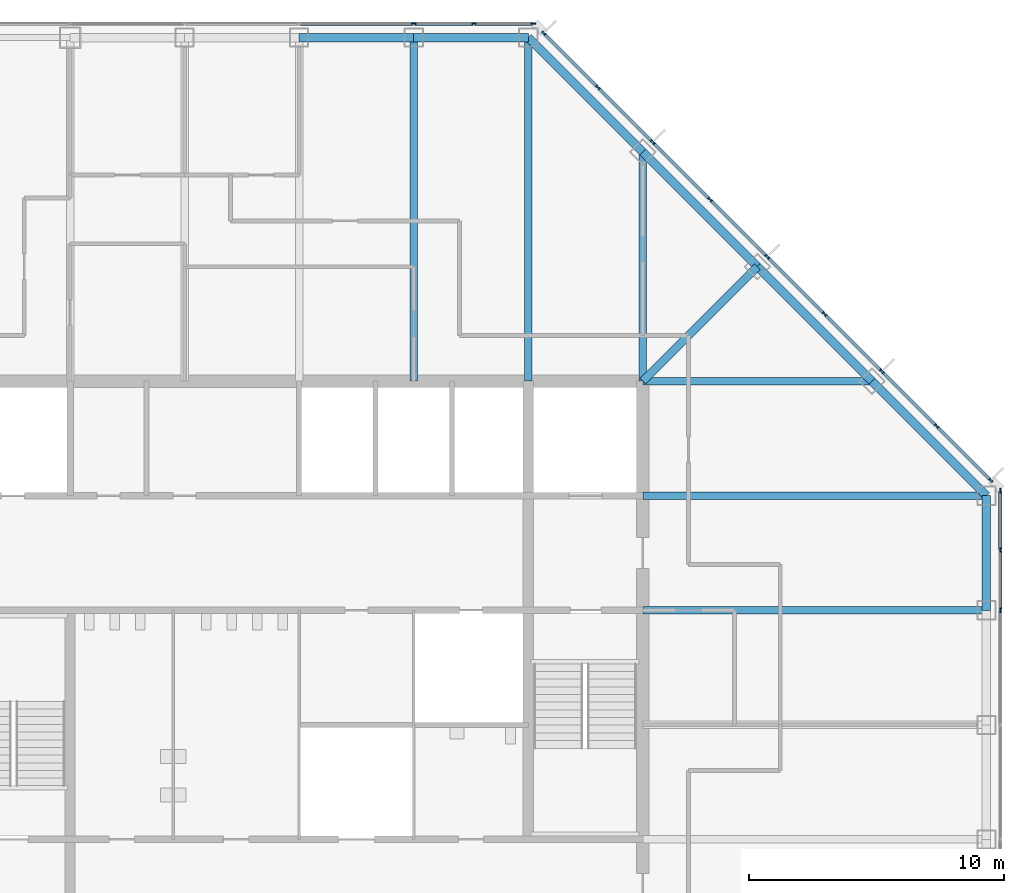
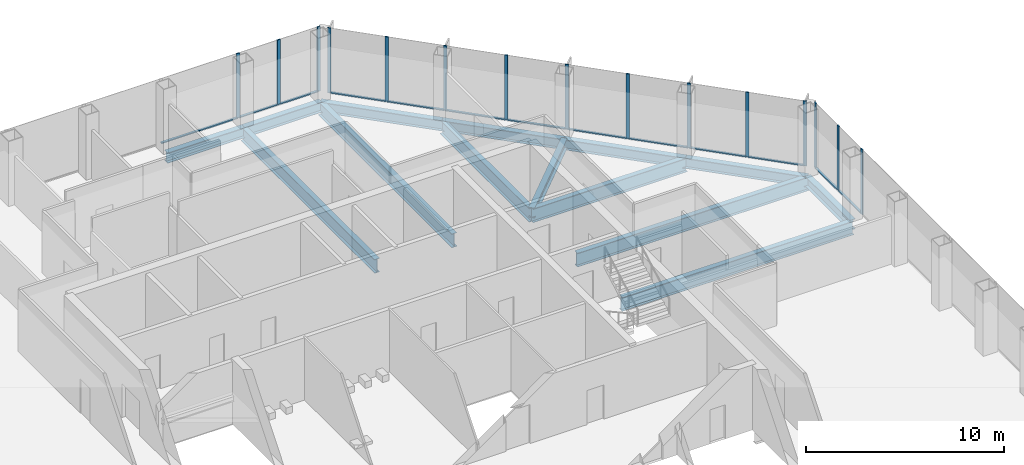
# One storey, part 6 of 13: 28 members, 14 beams, 3 elements without a shape of their own.
"""IFC4 building model written with IfcOpenShell, lengths in metres."""

from ifc_helpers import new_model, si_unit, direction, frame, origin, origin_2d, place, context, subcontext, project, spatial, rectangle, i_section, extrude, material, material_profile, profile_set, type_object, element, aggregate, save


model = new_model("IFC4")

# Units and contexts
model_context = context("Model", 3, precision=1e-05, world=origin(), true_north=direction((0.0, 1.0)))
body_context = subcontext(model_context, "Body", "Model", "MODEL_VIEW")
ifc_project = project(units=[si_unit("LENGTHUNIT", "METRE"), si_unit("AREAUNIT", "SQUARE_METRE"), si_unit("VOLUMEUNIT", "CUBIC_METRE"), si_unit("PLANEANGLEUNIT", "RADIAN"), si_unit("MASSUNIT", "GRAM", prefix="KILO")], contexts=[model_context])

# Site, building, storey
site_placement = place(None, origin())
site = spatial("IfcSite", under=ifc_project, at=site_placement, CompositionType="ELEMENT")
building_placement = place(site_placement, origin())
building = spatial("IfcBuilding", under=site, at=building_placement, Name="Corais Broadcast Tower", CompositionType="ELEMENT")
storey_placement = place(building_placement, frame((0.0, 0.0, 119.60009765625)))
storey = spatial("IfcBuildingStorey", under=building, at=storey_placement, Name="L26", CompositionType="ELEMENT", Elevation=119.60009765625)

# Beams
ifc_material_1 = material(Name="Steel ASTM A572 Grade 50", Category="steel")
ifc_material_profile_1 = material_profile(ifc_material_1, i_section(OverallWidth=0.323974609375, OverallDepth=0.611083984375, WebThickness=0.0126953125, FlangeThickness=0.01904296875, at=origin_2d()), Name="W610x155")
ifc_profile_set_1 = profile_set([ifc_material_profile_1], Name="Steel ASTM A572 Grade 50")
beam_type_1 = type_object("IfcBeamType", Name="Corner diagonal W610x155", PredefinedType="BEAM", material=ifc_profile_set_1)
beam_1_placement = place(storey_placement, frame((45.0, 45.0, -0.465576171875), z_axis=(-0.707106781187, -0.707106781187, 0.0), x_axis=(0.707106781187, -0.707106781187, 0.0)))
element("IfcBeam", 1, at=beam_1_placement, inside=storey, type_object=beam_type_1, Name="B6 L/13 to K/12", PredefinedType="BEAM", context=body_context, shape_type="SweptSolid", body=[
    extrude(i_section(OverallWidth=0.323974609375, OverallDepth=0.611083984375, WebThickness=0.0126953125, FlangeThickness=0.01904296875, at=origin_2d()), origin(), (0.0, 0.0, 1.0), 6.364013671875),
])
ifc_material_2 = material(Name="Steel ASTM A572 Grade 50", Category="steel")
ifc_material_profile_2 = material_profile(ifc_material_2, i_section(OverallWidth=0.2939453125, OverallDepth=0.85107421875, WebThickness=0.01611328125, FlangeThickness=0.02685546875, at=origin_2d()), Name="W840x226")
ifc_profile_set_2 = profile_set([ifc_material_profile_2], Name="Steel ASTM A572 Grade 50")
beam_type_2 = type_object("IfcBeamType", Name="Floor beam W840x226", PredefinedType="BEAM", material=ifc_profile_set_2)
for number, where, z_axis, x_axis, name in (
    (2, (31.5, 54.0, -0.585693359375), (0.0, -1.0, 0.0), (1.0, 0.0, 0.0), "B1 N/10 to K/10"),
    (3, (36.0, 54.0, -0.585693359375), (0.0, -1.0, 0.0), (1.0, 0.0, 0.0), "B1 N/11 to K/11"),
):
    element("IfcBeam", number, at=place(storey_placement, frame(where, z_axis=z_axis, x_axis=x_axis)), inside=storey, type_object=beam_type_2, Name=name, PredefinedType="BEAM", context=body_context, shape_type="SweptSolid", body=[
        extrude(i_section(OverallWidth=0.2939453125, OverallDepth=0.85107421875, WebThickness=0.01611328125, FlangeThickness=0.02685546875, at=origin_2d()), origin(), (0.0, 0.0, 1.0), 13.5),
    ])
for number, where, z_axis, x_axis, name in (
    (4, (40.5, 49.5, -0.585693359375), (0.0, -1.0, 0.0), (1.0, 0.0, 0.0), "B1 M/12 to K/12"),
    (5, (49.5, 40.5, -0.585693359375), (-1.0, 0.0, 0.0), (0.0, -1.0, 0.0), "B1 K/14 to K/12"),
):
    element("IfcBeam", number, at=place(storey_placement, frame(where, z_axis=z_axis, x_axis=x_axis)), inside=storey, type_object=beam_type_2, Name=name, PredefinedType="BEAM", context=body_context, shape_type="SweptSolid", body=[
        extrude(i_section(OverallWidth=0.2939453125, OverallDepth=0.85107421875, WebThickness=0.01611328125, FlangeThickness=0.02685546875, at=origin_2d()), origin(), (0.0, 0.0, 1.0), 9.0),
    ])
for number, where, z_axis, x_axis, name in (
    (6, (54.0, 31.5, -0.585693359375), (-1.0, 0.0, 0.0), (0.0, -1.0, 0.0), "B1 H/15 to H/12"),
    (7, (54.0, 36.0, -0.585693359375), (-1.0, 0.0, 0.0), (0.0, -1.0, 0.0), "B1 J/15 to J/12"),
):
    element("IfcBeam", number, at=place(storey_placement, frame(where, z_axis=z_axis, x_axis=x_axis)), inside=storey, type_object=beam_type_2, Name=name, PredefinedType="BEAM", context=body_context, shape_type="SweptSolid", body=[
        extrude(i_section(OverallWidth=0.2939453125, OverallDepth=0.85107421875, WebThickness=0.01611328125, FlangeThickness=0.02685546875, at=origin_2d()), origin(), (0.0, 0.0, 1.0), 13.5),
    ])

# Curtain wall, members
ifc_material_3 = material(Name="Aluminium and glass", Category="aluminium")
curtain_wall_type = type_object("IfcCurtainWallType", Name="Unitised fritted curtain wall CW2", PredefinedType="NOTDEFINED", material=ifc_material_3)
curtain_wall_1_placement = place(storey_placement, origin())
curtain_wall_1 = element("IfcCurtainWall", 8, at=curtain_wall_1_placement, inside=storey, type_object=curtain_wall_type, Name="CW2 curtain wall L26 4", PredefinedType="NOTDEFINED")
ifc_material_4 = material(Name="Aluminium 6063-T6", Category="aluminium")
ifc_material_profile_3 = material_profile(ifc_material_4, rectangle(XDim=0.06494140625, YDim=0.179931640625, at=origin_2d()), Name="Mullion CW2 65x180")
ifc_profile_set_3 = profile_set([ifc_material_profile_3], Name="Aluminium 6063-T6")
member_type_1 = type_object("IfcMemberType", Name="Mullion CW2 65x180", PredefinedType="MULLION", material=ifc_profile_set_3)
member_1_placement = place(storey_placement, frame((31.5, 54.550048828125, 0.0), z_axis=(0.0, 0.0, 1.0), x_axis=(0.0, 1.0, 0.0)))
member_1 = element("IfcMember", 9, at=member_1_placement, type_object=member_type_1, Name="CW2 mullion 7", PredefinedType="MULLION", context=body_context, shape_type="SweptSolid", body=[
    extrude(rectangle(XDim=0.06494140625, YDim=0.179931640625, at=origin_2d()), origin(), (0.0, 0.0, 1.0), 4.0),
])
member_2_placement = place(storey_placement, frame((33.864013671875, 54.550048828125, 0.0), z_axis=(0.0, 0.0, 1.0), x_axis=(0.0, 1.0, 0.0)))
member_2 = element("IfcMember", 10, at=member_2_placement, type_object=member_type_1, Name="CW2 mullion 8", PredefinedType="MULLION", context=body_context, shape_type="SweptSolid", body=[
    extrude(rectangle(XDim=0.06494140625, YDim=0.179931640625, at=origin_2d()), origin(), (0.0, 0.0, 1.0), 4.0),
])
member_3_placement = place(storey_placement, frame((36.1953125, 54.550048828125, 0.0), z_axis=(0.0, 0.0, 1.0), x_axis=(0.0, 1.0, 0.0)))
member_3 = element("IfcMember", 11, at=member_3_placement, type_object=member_type_1, Name="CW2 mullion 9", PredefinedType="MULLION", context=body_context, shape_type="SweptSolid", body=[
    extrude(rectangle(XDim=0.06494140625, YDim=0.179931640625, at=origin_2d()), origin(), (0.0, 0.0, 1.0), 4.0),
])

curtain_wall_2_placement = place(storey_placement, origin())
curtain_wall_2 = element("IfcCurtainWall", 12, at=curtain_wall_2_placement, inside=storey, type_object=curtain_wall_type, Name="CW2 curtain wall L26 5", PredefinedType="NOTDEFINED")
member_4_placement = place(storey_placement, frame((36.6044921875, 54.17333984375, 0.0), z_axis=(0.0, 0.0, 1.0), x_axis=(0.707106781187, 0.707106781187, 0.0)))
member_4 = element("IfcMember", 13, at=member_4_placement, type_object=member_type_1, Name="CW2 mullion 1", PredefinedType="MULLION", context=body_context, shape_type="SweptSolid", body=[
    extrude(rectangle(XDim=0.06494140625, YDim=0.179931640625, at=origin_2d()), origin(), (0.0, 0.0, 1.0), 4.0),
])
member_5_placement = place(storey_placement, frame((38.735107421875, 52.042724609375, 0.0), z_axis=(0.0, 0.0, 1.0), x_axis=(0.707106781187, 0.707106781187, 0.0)))
member_5 = element("IfcMember", 14, at=member_5_placement, type_object=member_type_1, Name="CW2 mullion 2", PredefinedType="MULLION", context=body_context, shape_type="SweptSolid", body=[
    extrude(rectangle(XDim=0.06494140625, YDim=0.179931640625, at=origin_2d()), origin(), (0.0, 0.0, 1.0), 4.0),
])
member_6_placement = place(storey_placement, frame((40.888916015625, 49.888916015625, 0.0), z_axis=(0.0, 0.0, 1.0), x_axis=(0.707106781187, 0.707106781187, 0.0)))
member_6 = element("IfcMember", 15, at=member_6_placement, type_object=member_type_1, Name="CW2 mullion 3", PredefinedType="MULLION", context=body_context, shape_type="SweptSolid", body=[
    extrude(rectangle(XDim=0.06494140625, YDim=0.179931640625, at=origin_2d()), origin(), (0.0, 0.0, 1.0), 4.0),
])
member_7_placement = place(storey_placement, frame((43.138916015625, 47.638916015625, 0.0), z_axis=(0.0, 0.0, 1.0), x_axis=(0.707106781187, 0.707106781187, 0.0)))
member_7 = element("IfcMember", 16, at=member_7_placement, type_object=member_type_1, Name="CW2 mullion 4", PredefinedType="MULLION", context=body_context, shape_type="SweptSolid", body=[
    extrude(rectangle(XDim=0.06494140625, YDim=0.179931640625, at=origin_2d()), origin(), (0.0, 0.0, 1.0), 4.0),
])
member_8_placement = place(storey_placement, frame((45.388916015625, 45.388916015625, 0.0), z_axis=(0.0, 0.0, 1.0), x_axis=(0.707106781187, 0.707106781187, 0.0)))
member_8 = element("IfcMember", 17, at=member_8_placement, type_object=member_type_1, Name="CW2 mullion 5", PredefinedType="MULLION", context=body_context, shape_type="SweptSolid", body=[
    extrude(rectangle(XDim=0.06494140625, YDim=0.179931640625, at=origin_2d()), origin(), (0.0, 0.0, 1.0), 4.0),
])
member_9_placement = place(storey_placement, frame((47.638916015625, 43.138916015625, 0.0), z_axis=(0.0, 0.0, 1.0), x_axis=(0.707106781187, 0.707106781187, 0.0)))
member_9 = element("IfcMember", 18, at=member_9_placement, type_object=member_type_1, Name="CW2 mullion 6", PredefinedType="MULLION", context=body_context, shape_type="SweptSolid", body=[
    extrude(rectangle(XDim=0.06494140625, YDim=0.179931640625, at=origin_2d()), origin(), (0.0, 0.0, 1.0), 4.0),
])
member_10_placement = place(storey_placement, frame((49.888916015625, 40.888916015625, 0.0), z_axis=(0.0, 0.0, 1.0), x_axis=(0.707106781187, 0.707106781187, 0.0)))
member_10 = element("IfcMember", 19, at=member_10_placement, type_object=member_type_1, Name="CW2 mullion 7", PredefinedType="MULLION", context=body_context, shape_type="SweptSolid", body=[
    extrude(rectangle(XDim=0.06494140625, YDim=0.179931640625, at=origin_2d()), origin(), (0.0, 0.0, 1.0), 4.0),
])
member_11_placement = place(storey_placement, frame((52.042724609375, 38.735107421875, 0.0), z_axis=(0.0, 0.0, 1.0), x_axis=(0.707106781187, 0.707106781187, 0.0)))
member_11 = element("IfcMember", 20, at=member_11_placement, type_object=member_type_1, Name="CW2 mullion 8", PredefinedType="MULLION", context=body_context, shape_type="SweptSolid", body=[
    extrude(rectangle(XDim=0.06494140625, YDim=0.179931640625, at=origin_2d()), origin(), (0.0, 0.0, 1.0), 4.0),
])
member_12_placement = place(storey_placement, frame((54.17333984375, 36.6044921875, 0.0), z_axis=(0.0, 0.0, 1.0), x_axis=(0.707106781187, 0.707106781187, 0.0)))
member_12 = element("IfcMember", 21, at=member_12_placement, type_object=member_type_1, Name="CW2 mullion 9", PredefinedType="MULLION", context=body_context, shape_type="SweptSolid", body=[
    extrude(rectangle(XDim=0.06494140625, YDim=0.179931640625, at=origin_2d()), origin(), (0.0, 0.0, 1.0), 4.0),
])

curtain_wall_3_placement = place(storey_placement, origin())
curtain_wall_3 = element("IfcCurtainWall", 22, at=curtain_wall_3_placement, inside=storey, type_object=curtain_wall_type, Name="CW2 curtain wall L26 6", PredefinedType="NOTDEFINED")
member_13_placement = place(storey_placement, frame((54.550048828125, 36.1953125, 0.0), z_axis=(0.0, 0.0, 1.0), x_axis=(1.0, 0.0, 0.0)))
member_13 = element("IfcMember", 23, at=member_13_placement, type_object=member_type_1, Name="CW2 mullion 1", PredefinedType="MULLION", context=body_context, shape_type="SweptSolid", body=[
    extrude(rectangle(XDim=0.06494140625, YDim=0.179931640625, at=origin_2d()), origin(), (0.0, 0.0, 1.0), 4.0),
])
member_14_placement = place(storey_placement, frame((54.550048828125, 33.864013671875, 0.0), z_axis=(0.0, 0.0, 1.0), x_axis=(1.0, 0.0, 0.0)))
member_14 = element("IfcMember", 24, at=member_14_placement, type_object=member_type_1, Name="CW2 mullion 2", PredefinedType="MULLION", context=body_context, shape_type="SweptSolid", body=[
    extrude(rectangle(XDim=0.06494140625, YDim=0.179931640625, at=origin_2d()), origin(), (0.0, 0.0, 1.0), 4.0),
])
member_15_placement = place(storey_placement, frame((54.550048828125, 31.5, 0.0), z_axis=(0.0, 0.0, 1.0), x_axis=(1.0, 0.0, 0.0)))
member_15 = element("IfcMember", 25, at=member_15_placement, type_object=member_type_1, Name="CW2 mullion 3", PredefinedType="MULLION", context=body_context, shape_type="SweptSolid", body=[
    extrude(rectangle(XDim=0.06494140625, YDim=0.179931640625, at=origin_2d()), origin(), (0.0, 0.0, 1.0), 4.0),
])

# Beams
ifc_material_5 = material(Name="Steel ASTM A572 Grade 50", Category="steel")
ifc_material_profile_4 = material_profile(ifc_material_5, i_section(OverallWidth=0.3291015625, OverallDepth=0.635009765625, WebThickness=0.017822265625, FlangeThickness=0.031005859375, at=origin_2d()), Name="W610x241")
ifc_profile_set_4 = profile_set([ifc_material_profile_4], Name="Steel ASTM A572 Grade 50")
beam_type_3 = type_object("IfcBeamType", Name="Spandrel W610x241", PredefinedType="BEAM", material=ifc_profile_set_4)
for number, where, z_axis, x_axis, name in (
    (26, (31.5, 54.0, -0.4775390625), (-1.0, 0.0, 0.0), (0.0, -1.0, 0.0), "SB1 N/10 to N/9"),
    (27, (36.0, 54.0, -0.4775390625), (-1.0, 0.0, 0.0), (0.0, -1.0, 0.0), "SB1 N/11 to N/10"),
):
    element("IfcBeam", number, at=place(storey_placement, frame(where, z_axis=z_axis, x_axis=x_axis)), inside=storey, type_object=beam_type_3, Name=name, PredefinedType="BEAM", context=body_context, shape_type="SweptSolid", body=[
        extrude(i_section(OverallWidth=0.3291015625, OverallDepth=0.635009765625, WebThickness=0.017822265625, FlangeThickness=0.031005859375, at=origin_2d()), origin(), (0.0, 0.0, 1.0), 4.5),
    ])
for number, where, z_axis, x_axis, name in (
    (28, (40.5, 49.5, -0.4775390625), (-0.707106781187, 0.707106781187, 0.0), (-0.707106781187, -0.707106781187, 0.0), "SB1 M/12 to N/11"),
    (29, (45.0, 45.0, -0.4775390625), (-0.707106781187, 0.707106781187, 0.0), (-0.707106781187, -0.707106781187, 0.0), "SB1 L/13 to M/12"),
    (30, (49.5, 40.5, -0.4775390625), (-0.707106781187, 0.707106781187, 0.0), (-0.707106781187, -0.707106781187, 0.0), "SB1 K/14 to L/13"),
):
    element("IfcBeam", number, at=place(storey_placement, frame(where, z_axis=z_axis, x_axis=x_axis)), inside=storey, type_object=beam_type_3, Name=name, PredefinedType="BEAM", context=body_context, shape_type="SweptSolid", body=[
        extrude(i_section(OverallWidth=0.3291015625, OverallDepth=0.635009765625, WebThickness=0.017822265625, FlangeThickness=0.031005859375, at=origin_2d()), origin(), (0.0, 0.0, 1.0), 6.364013671875),
    ])
beam_2_placement = place(storey_placement, frame((54.0, 31.5, -0.4775390625), z_axis=(0.0, 1.0, 0.0), x_axis=(-1.0, 0.0, 0.0)))
element("IfcBeam", 31, at=beam_2_placement, inside=storey, type_object=beam_type_3, Name="SB1 H/15 to J/15", PredefinedType="BEAM", context=body_context, shape_type="SweptSolid", body=[
    extrude(i_section(OverallWidth=0.3291015625, OverallDepth=0.635009765625, WebThickness=0.017822265625, FlangeThickness=0.031005859375, at=origin_2d()), origin(), (0.0, 0.0, 1.0), 4.5),
])
beam_3_placement = place(storey_placement, frame((54.0, 36.0, -0.4775390625), z_axis=(-0.707106781187, 0.707106781187, 0.0), x_axis=(-0.707106781187, -0.707106781187, 0.0)))
element("IfcBeam", 32, at=beam_3_placement, inside=storey, type_object=beam_type_3, Name="SB1 J/15 to K/14", PredefinedType="BEAM", context=body_context, shape_type="SweptSolid", body=[
    extrude(i_section(OverallWidth=0.3291015625, OverallDepth=0.635009765625, WebThickness=0.017822265625, FlangeThickness=0.031005859375, at=origin_2d()), origin(), (0.0, 0.0, 1.0), 6.364013671875),
])

# Member
ifc_material_6 = material(Name="Aluminium 6063-T6", Category="aluminium")
ifc_material_profile_5 = material_profile(ifc_material_6, rectangle(XDim=0.1298828125, YDim=0.06494140625, at=origin_2d()), Name="Transom CW2 65x130")
ifc_profile_set_5 = profile_set([ifc_material_profile_5], Name="Aluminium 6063-T6")
member_type_2 = type_object("IfcMemberType", Name="Transom CW2 65x130", PredefinedType="USERDEFINED", material=ifc_profile_set_5)
member_16_placement = place(storey_placement, frame((27.032470703125, 54.550048828125, 0.032470703125), z_axis=(1.0, 0.0, 0.0), x_axis=(0.0, 1.0, 0.0)))
member_16 = element("IfcMember", 33, at=member_16_placement, type_object=member_type_2, Name="CW2 transom 6.1", ObjectType="TRANSOM", PredefinedType="USERDEFINED", context=body_context, shape_type="SweptSolid", body=[
    extrude(rectangle(XDim=0.1298828125, YDim=0.06494140625, at=origin_2d()), origin(), (0.0, 0.0, 1.0), 4.43505859375),
])

member_17_placement = place(storey_placement, frame((31.532470703125, 54.550048828125, 0.032470703125), z_axis=(1.0, 0.0, 0.0), x_axis=(0.0, 1.0, 0.0)))
member_17 = element("IfcMember", 34, at=member_17_placement, type_object=member_type_2, Name="CW2 transom 7.1", ObjectType="TRANSOM", PredefinedType="USERDEFINED", context=body_context, shape_type="SweptSolid", body=[
    extrude(rectangle(XDim=0.1298828125, YDim=0.06494140625, at=origin_2d()), origin(), (0.0, 0.0, 1.0), 2.298828125),
])

member_18_placement = place(storey_placement, frame((33.896484375, 54.550048828125, 0.032470703125), z_axis=(1.0, 0.0, 0.0), x_axis=(0.0, 1.0, 0.0)))
member_18 = element("IfcMember", 35, at=member_18_placement, type_object=member_type_2, Name="CW2 transom 8.1", ObjectType="TRANSOM", PredefinedType="USERDEFINED", context=body_context, shape_type="SweptSolid", body=[
    extrude(rectangle(XDim=0.1298828125, YDim=0.06494140625, at=origin_2d()), origin(), (0.0, 0.0, 1.0), 2.266357421875),
])

aggregate(curtain_wall_1, [member_1, member_2, member_3, member_16, member_17, member_18])

member_19_placement = place(storey_placement, frame((36.62744140625, 54.150390625, 0.032470703125), z_axis=(0.707106781187, -0.707106781187, 0.0), x_axis=(0.707106781187, 0.707106781187, 0.0)))
member_19 = element("IfcMember", 36, at=member_19_placement, type_object=member_type_2, Name="CW2 transom 1.1", ObjectType="TRANSOM", PredefinedType="USERDEFINED", context=body_context, shape_type="SweptSolid", body=[
    extrude(rectangle(XDim=0.1298828125, YDim=0.06494140625, at=origin_2d()), origin(), (0.0, 0.0, 1.0), 2.9482421875),
])

member_20_placement = place(storey_placement, frame((38.758056640625, 52.019775390625, 0.032470703125), z_axis=(0.707106781187, -0.707106781187, 0.0), x_axis=(0.707106781187, 0.707106781187, 0.0)))
member_20 = element("IfcMember", 37, at=member_20_placement, type_object=member_type_2, Name="CW2 transom 2.1", ObjectType="TRANSOM", PredefinedType="USERDEFINED", context=body_context, shape_type="SweptSolid", body=[
    extrude(rectangle(XDim=0.1298828125, YDim=0.06494140625, at=origin_2d()), origin(), (0.0, 0.0, 1.0), 2.98095703125),
])

member_21_placement = place(storey_placement, frame((40.911865234375, 49.865966796875, 0.032470703125), z_axis=(0.707106781187, -0.707106781187, 0.0), x_axis=(0.707106781187, 0.707106781187, 0.0)))
member_21 = element("IfcMember", 38, at=member_21_placement, type_object=member_type_2, Name="CW2 transom 3.1", ObjectType="TRANSOM", PredefinedType="USERDEFINED", context=body_context, shape_type="SweptSolid", body=[
    extrude(rectangle(XDim=0.1298828125, YDim=0.06494140625, at=origin_2d()), origin(), (0.0, 0.0, 1.0), 3.1171875),
])

member_22_placement = place(storey_placement, frame((43.161865234375, 47.615966796875, 0.032470703125), z_axis=(0.707106781187, -0.707106781187, 0.0), x_axis=(0.707106781187, 0.707106781187, 0.0)))
member_22 = element("IfcMember", 39, at=member_22_placement, type_object=member_type_2, Name="CW2 transom 4.1", ObjectType="TRANSOM", PredefinedType="USERDEFINED", context=body_context, shape_type="SweptSolid", body=[
    extrude(rectangle(XDim=0.1298828125, YDim=0.06494140625, at=origin_2d()), origin(), (0.0, 0.0, 1.0), 3.1171875),
])

member_23_placement = place(storey_placement, frame((45.411865234375, 45.365966796875, 0.032470703125), z_axis=(0.707106781187, -0.707106781187, 0.0), x_axis=(0.707106781187, 0.707106781187, 0.0)))
member_23 = element("IfcMember", 40, at=member_23_placement, type_object=member_type_2, Name="CW2 transom 5.1", ObjectType="TRANSOM", PredefinedType="USERDEFINED", context=body_context, shape_type="SweptSolid", body=[
    extrude(rectangle(XDim=0.1298828125, YDim=0.06494140625, at=origin_2d()), origin(), (0.0, 0.0, 1.0), 3.1171875),
])

member_24_placement = place(storey_placement, frame((47.661865234375, 43.115966796875, 0.032470703125), z_axis=(0.707106781187, -0.707106781187, 0.0), x_axis=(0.707106781187, 0.707106781187, 0.0)))
member_24 = element("IfcMember", 41, at=member_24_placement, type_object=member_type_2, Name="CW2 transom 6.1", ObjectType="TRANSOM", PredefinedType="USERDEFINED", context=body_context, shape_type="SweptSolid", body=[
    extrude(rectangle(XDim=0.1298828125, YDim=0.06494140625, at=origin_2d()), origin(), (0.0, 0.0, 1.0), 3.1171875),
])

member_25_placement = place(storey_placement, frame((49.911865234375, 40.865966796875, 0.032470703125), z_axis=(0.707065828661, -0.70714773134, 0.0), x_axis=(0.70714773134, 0.707065828661, 0.0)))
member_25 = element("IfcMember", 42, at=member_25_placement, type_object=member_type_2, Name="CW2 transom 7.1", ObjectType="TRANSOM", PredefinedType="USERDEFINED", context=body_context, shape_type="SweptSolid", body=[
    extrude(rectangle(XDim=0.1298828125, YDim=0.06494140625, at=origin_2d()), origin(), (0.0, 0.0, 1.0), 2.98095703125),
])

member_26_placement = place(storey_placement, frame((52.065673828125, 38.712158203125, 0.032470703125), z_axis=(0.707106781187, -0.707106781187, 0.0), x_axis=(0.707106781187, 0.707106781187, 0.0)))
member_26 = element("IfcMember", 43, at=member_26_placement, type_object=member_type_2, Name="CW2 transom 8.1", ObjectType="TRANSOM", PredefinedType="USERDEFINED", context=body_context, shape_type="SweptSolid", body=[
    extrude(rectangle(XDim=0.1298828125, YDim=0.06494140625, at=origin_2d()), origin(), (0.0, 0.0, 1.0), 2.9482421875),
])

aggregate(curtain_wall_2, [member_4, member_5, member_6, member_7, member_8, member_9, member_10, member_11, member_12, member_19, member_20, member_21, member_22, member_23, member_24, member_25, member_26])

member_27_placement = place(storey_placement, frame((54.550048828125, 36.162841796875, 0.032470703125), z_axis=(0.0, -1.0, 0.0), x_axis=(1.0, 0.0, 0.0)))
member_27 = element("IfcMember", 44, at=member_27_placement, type_object=member_type_2, Name="CW2 transom 1.1", ObjectType="TRANSOM", PredefinedType="USERDEFINED", context=body_context, shape_type="SweptSolid", body=[
    extrude(rectangle(XDim=0.1298828125, YDim=0.06494140625, at=origin_2d()), origin(), (0.0, 0.0, 1.0), 2.266357421875),
])

member_28_placement = place(storey_placement, frame((54.550048828125, 33.831298828125, 0.032470703125), z_axis=(0.0, -1.0, 0.0), x_axis=(1.0, 0.0, 0.0)))
member_28 = element("IfcMember", 45, at=member_28_placement, type_object=member_type_2, Name="CW2 transom 2.1", ObjectType="TRANSOM", PredefinedType="USERDEFINED", context=body_context, shape_type="SweptSolid", body=[
    extrude(rectangle(XDim=0.1298828125, YDim=0.06494140625, at=origin_2d()), origin(), (0.0, 0.0, 1.0), 2.298828125),
])

aggregate(curtain_wall_3, [member_13, member_14, member_15, member_27, member_28])

save(model, "model.ifc")
